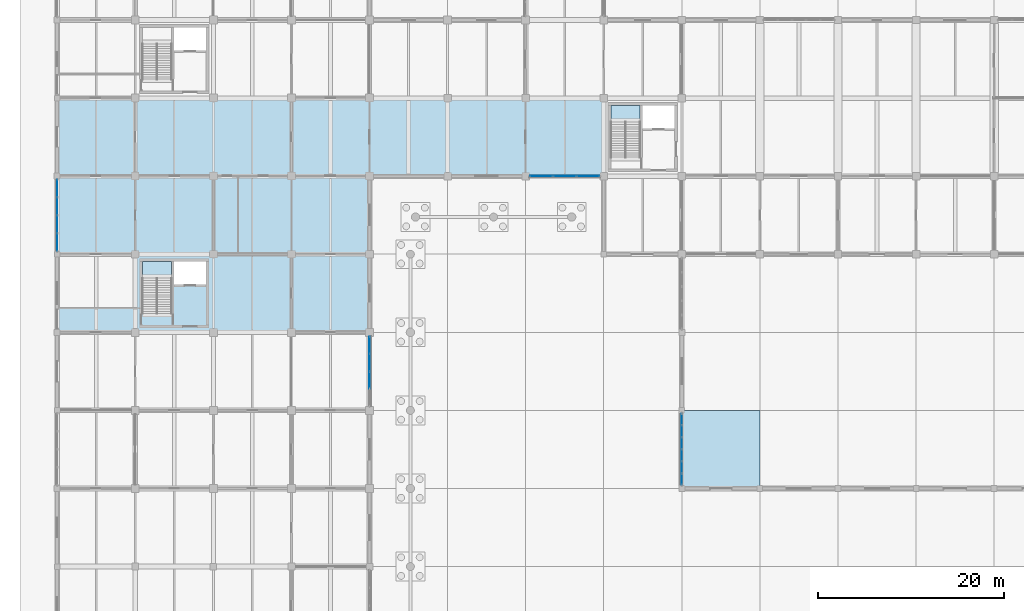
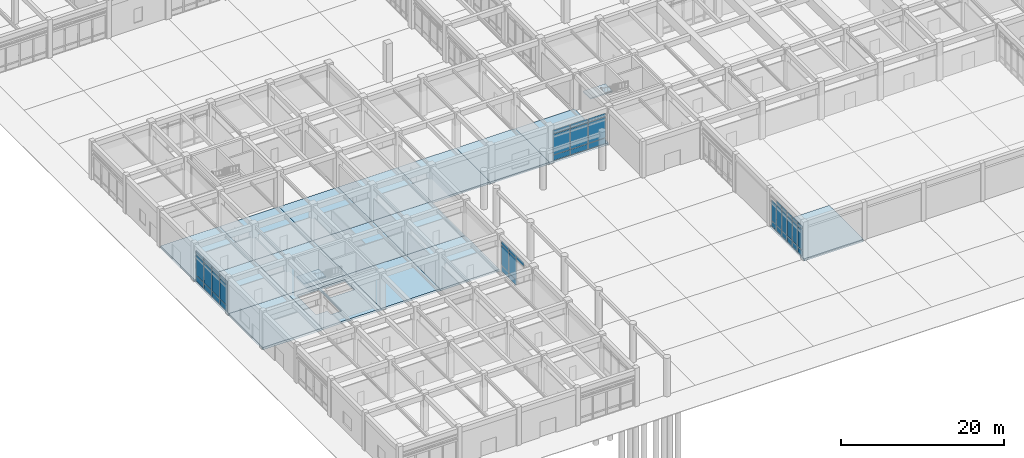
# One storey, part 49 of 91: 45 plates, 18 slabs, 6 elements without a shape of their own.
"""IFC4 building model written with IfcOpenShell, lengths in metres."""

from ifc_helpers import new_model, si_unit, direction, frame, origin, origin_2d, place, context, subcontext, project, spatial, polyline, rectangle, outline, extrude, material, layer, layer_set, type_object, element, aggregate, save


model = new_model("IFC4")

# Units and contexts
model_context = context("Model", 3, precision=1e-05, world=origin(), true_north=direction((0.0, 1.0)))
body_context = subcontext(model_context, "Body", "Model", "MODEL_VIEW")
ifc_project = project(units=[si_unit("LENGTHUNIT", "METRE"), si_unit("AREAUNIT", "SQUARE_METRE"), si_unit("VOLUMEUNIT", "CUBIC_METRE"), si_unit("PLANEANGLEUNIT", "RADIAN"), si_unit("MASSUNIT", "GRAM", prefix="KILO")], contexts=[model_context])

# Site, building, storey
site_placement = place(None, origin())
site = spatial("IfcSite", under=ifc_project, at=site_placement, CompositionType="ELEMENT")
building_placement = place(site_placement, origin())
building = spatial("IfcBuilding", under=site, at=building_placement, Name="Porcellanite Civic Hall", CompositionType="ELEMENT")
storey_placement = place(building_placement, origin())
storey = spatial("IfcBuildingStorey", under=building, at=storey_placement, Name="L00", CompositionType="ELEMENT", Elevation=0.0)

# Curtain wall, plates
ifc_material_1 = material(Name="Anodised aluminium and solar laminated glass", Category="aluminium")
ifc_layer_1 = layer(ifc_material_1, 0.179931640625)
ifc_layer_set_1 = layer_set([ifc_layer_1], Name="Anodised aluminium and solar laminated glass")
curtain_wall_type_1 = type_object("IfcCurtainWallType", Name="CW-SYS01", PredefinedType="NOTDEFINED", material=ifc_layer_set_1)
curtain_wall_1_placement = place(storey_placement, origin())
curtain_wall_1 = element("IfcCurtainWall", 1, at=curtain_wall_1_placement, inside=storey, type_object=curtain_wall_type_1, Name="Curtain wall CW-027", PredefinedType="NOTDEFINED")
ifc_material_2 = material(Name="Cyclone laminated solar-control low-E glass", Category="glass")
ifc_layer_2 = layer(ifc_material_2, 0.02392578125)
ifc_layer_set_2 = layer_set([ifc_layer_2], Name="Cyclone laminated solar-control low-E glass")
plate_type_1 = type_object("IfcPlateType", Name="CWP-01", PredefinedType="CURTAIN_PANEL", material=ifc_layer_set_2)
plate_1_placement = place(storey_placement, frame((67.199951171875, 17.793701171875, 0.070068359375), z_axis=(0.0, 0.0, 1.0), x_axis=(0.0, 1.0, 0.0)))
plate_1 = element("IfcPlate", 2, at=plate_1_placement, type_object=plate_type_1, Name="CW-027 panel 1.1", PredefinedType="CURTAIN_PANEL", context=body_context, shape_type="SweptSolid", body=[
    extrude(rectangle(XDim=1.175537109375, YDim=0.02392578125, at=origin_2d()), origin(), (0.0, 0.0, 1.0), 0.794921875),
])
plate_2_placement = place(storey_placement, frame((67.199951171875, 17.793701171875, 0.93505859375), z_axis=(0.0, 0.0, 1.0), x_axis=(0.0, 1.0, 0.0)))
plate_2 = element("IfcPlate", 3, at=plate_2_placement, type_object=plate_type_1, Name="CW-027 panel 1.2", PredefinedType="CURTAIN_PANEL", context=body_context, shape_type="SweptSolid", body=[
    extrude(rectangle(XDim=1.175537109375, YDim=0.02392578125, at=origin_2d()), origin(), (0.0, 0.0, 1.0), 3.080078125),
])
plate_3_placement = place(storey_placement, frame((67.199951171875, 17.793701171875, 4.0849609375), z_axis=(0.0, 0.0, 1.0), x_axis=(0.0, 1.0, 0.0)))
plate_3 = element("IfcPlate", 4, at=plate_3_placement, type_object=plate_type_1, Name="CW-027 panel 1.3", PredefinedType="CURTAIN_PANEL", context=body_context, shape_type="SweptSolid", body=[
    extrude(rectangle(XDim=1.175537109375, YDim=0.02392578125, at=origin_2d()), origin(), (0.0, 0.0, 1.0), 0.544921875),
])
plate_4_placement = place(storey_placement, frame((67.199951171875, 19.0693359375, 0.070068359375), z_axis=(0.0, 0.0, 1.0), x_axis=(0.0, 1.0, 0.0)))
plate_4 = element("IfcPlate", 5, at=plate_4_placement, type_object=plate_type_1, Name="CW-027 panel 2.1", PredefinedType="CURTAIN_PANEL", context=body_context, shape_type="SweptSolid", body=[
    extrude(rectangle(XDim=1.215576171875, YDim=0.02392578125, at=origin_2d()), origin(), (0.0, 0.0, 1.0), 0.794921875),
])
plate_5_placement = place(storey_placement, frame((67.199951171875, 19.0693359375, 0.93505859375), z_axis=(0.0, 0.0, 1.0), x_axis=(0.0, 1.0, 0.0)))
plate_5 = element("IfcPlate", 6, at=plate_5_placement, type_object=plate_type_1, Name="CW-027 panel 2.2", PredefinedType="CURTAIN_PANEL", context=body_context, shape_type="SweptSolid", body=[
    extrude(rectangle(XDim=1.215576171875, YDim=0.02392578125, at=origin_2d()), origin(), (0.0, 0.0, 1.0), 3.080078125),
])
plate_6_placement = place(storey_placement, frame((67.199951171875, 19.0693359375, 4.0849609375), z_axis=(0.0, 0.0, 1.0), x_axis=(0.0, 1.0, 0.0)))
plate_6 = element("IfcPlate", 7, at=plate_6_placement, type_object=plate_type_1, Name="CW-027 panel 2.3", PredefinedType="CURTAIN_PANEL", context=body_context, shape_type="SweptSolid", body=[
    extrude(rectangle(XDim=1.215576171875, YDim=0.02392578125, at=origin_2d()), origin(), (0.0, 0.0, 1.0), 0.544921875),
])
plate_7_placement = place(storey_placement, frame((67.199951171875, 20.36474609375, 0.070068359375), z_axis=(0.0, 0.0, 1.0), x_axis=(0.0, 1.0, 0.0)))
plate_7 = element("IfcPlate", 8, at=plate_7_placement, type_object=plate_type_1, Name="CW-027 panel 3.1", PredefinedType="CURTAIN_PANEL", context=body_context, shape_type="SweptSolid", body=[
    extrude(rectangle(XDim=1.215576171875, YDim=0.02392578125, at=origin_2d()), origin(), (0.0, 0.0, 1.0), 0.794921875),
])
plate_8_placement = place(storey_placement, frame((67.199951171875, 20.36474609375, 0.93505859375), z_axis=(0.0, 0.0, 1.0), x_axis=(0.0, 1.0, 0.0)))
plate_8 = element("IfcPlate", 9, at=plate_8_placement, type_object=plate_type_1, Name="CW-027 panel 3.2", PredefinedType="CURTAIN_PANEL", context=body_context, shape_type="SweptSolid", body=[
    extrude(rectangle(XDim=1.215576171875, YDim=0.02392578125, at=origin_2d()), origin(), (0.0, 0.0, 1.0), 3.080078125),
])
plate_9_placement = place(storey_placement, frame((67.199951171875, 20.36474609375, 4.0849609375), z_axis=(0.0, 0.0, 1.0), x_axis=(0.0, 1.0, 0.0)))
plate_9 = element("IfcPlate", 10, at=plate_9_placement, type_object=plate_type_1, Name="CW-027 panel 3.3", PredefinedType="CURTAIN_PANEL", context=body_context, shape_type="SweptSolid", body=[
    extrude(rectangle(XDim=1.215576171875, YDim=0.02392578125, at=origin_2d()), origin(), (0.0, 0.0, 1.0), 0.544921875),
])
plate_10_placement = place(storey_placement, frame((67.199951171875, 21.66015625, 0.070068359375), z_axis=(0.0, 0.0, 1.0), x_axis=(0.0, 1.0, 0.0)))
plate_10 = element("IfcPlate", 11, at=plate_10_placement, type_object=plate_type_1, Name="CW-027 panel 4.1", PredefinedType="CURTAIN_PANEL", context=body_context, shape_type="SweptSolid", body=[
    extrude(rectangle(XDim=1.215576171875, YDim=0.02392578125, at=origin_2d()), origin(), (0.0, 0.0, 1.0), 0.794921875),
])
plate_11_placement = place(storey_placement, frame((67.199951171875, 21.66015625, 0.93505859375), z_axis=(0.0, 0.0, 1.0), x_axis=(0.0, 1.0, 0.0)))
plate_11 = element("IfcPlate", 12, at=plate_11_placement, type_object=plate_type_1, Name="CW-027 panel 4.2", PredefinedType="CURTAIN_PANEL", context=body_context, shape_type="SweptSolid", body=[
    extrude(rectangle(XDim=1.215576171875, YDim=0.02392578125, at=origin_2d()), origin(), (0.0, 0.0, 1.0), 3.080078125),
])
plate_12_placement = place(storey_placement, frame((67.199951171875, 21.66015625, 4.0849609375), z_axis=(0.0, 0.0, 1.0), x_axis=(0.0, 1.0, 0.0)))
plate_12 = element("IfcPlate", 13, at=plate_12_placement, type_object=plate_type_1, Name="CW-027 panel 4.3", PredefinedType="CURTAIN_PANEL", context=body_context, shape_type="SweptSolid", body=[
    extrude(rectangle(XDim=1.215576171875, YDim=0.02392578125, at=origin_2d()), origin(), (0.0, 0.0, 1.0), 0.544921875),
])
plate_13_placement = place(storey_placement, frame((67.199951171875, 22.955810546875, 0.070068359375), z_axis=(0.0, 0.0, 1.0), x_axis=(0.0, 1.0, 0.0)))
plate_13 = element("IfcPlate", 14, at=plate_13_placement, type_object=plate_type_1, Name="CW-027 panel 5.1", PredefinedType="CURTAIN_PANEL", context=body_context, shape_type="SweptSolid", body=[
    extrude(rectangle(XDim=1.215576171875, YDim=0.02392578125, at=origin_2d()), origin(), (0.0, 0.0, 1.0), 0.794921875),
])
plate_14_placement = place(storey_placement, frame((67.199951171875, 22.955810546875, 0.93505859375), z_axis=(0.0, 0.0, 1.0), x_axis=(0.0, 1.0, 0.0)))
plate_14 = element("IfcPlate", 15, at=plate_14_placement, type_object=plate_type_1, Name="CW-027 panel 5.2", PredefinedType="CURTAIN_PANEL", context=body_context, shape_type="SweptSolid", body=[
    extrude(rectangle(XDim=1.215576171875, YDim=0.02392578125, at=origin_2d()), origin(), (0.0, 0.0, 1.0), 3.080078125),
])
plate_15_placement = place(storey_placement, frame((67.199951171875, 22.955810546875, 4.0849609375), z_axis=(0.0, 0.0, 1.0), x_axis=(0.0, 1.0, 0.0)))
plate_15 = element("IfcPlate", 16, at=plate_15_placement, type_object=plate_type_1, Name="CW-027 panel 5.3", PredefinedType="CURTAIN_PANEL", context=body_context, shape_type="SweptSolid", body=[
    extrude(rectangle(XDim=1.215576171875, YDim=0.02392578125, at=origin_2d()), origin(), (0.0, 0.0, 1.0), 0.544921875),
])
plate_16_placement = place(storey_placement, frame((67.199951171875, 24.231201171875, 0.070068359375), z_axis=(0.0, 0.0, 1.0), x_axis=(0.0, 1.0, 0.0)))
plate_16 = element("IfcPlate", 17, at=plate_16_placement, type_object=plate_type_1, Name="CW-027 panel 6.1", PredefinedType="CURTAIN_PANEL", context=body_context, shape_type="SweptSolid", body=[
    extrude(rectangle(XDim=1.175537109375, YDim=0.02392578125, at=origin_2d()), origin(), (0.0, 0.0, 1.0), 0.794921875),
])
plate_17_placement = place(storey_placement, frame((67.199951171875, 24.231201171875, 0.93505859375), z_axis=(0.0, 0.0, 1.0), x_axis=(0.0, 1.0, 0.0)))
plate_17 = element("IfcPlate", 18, at=plate_17_placement, type_object=plate_type_1, Name="CW-027 panel 6.2", PredefinedType="CURTAIN_PANEL", context=body_context, shape_type="SweptSolid", body=[
    extrude(rectangle(XDim=1.175537109375, YDim=0.02392578125, at=origin_2d()), origin(), (0.0, 0.0, 1.0), 3.080078125),
])
aggregate(curtain_wall_1, [plate_1, plate_2, plate_3, plate_4, plate_5, plate_6, plate_7, plate_8, plate_9, plate_10, plate_11, plate_12, plate_13, plate_14, plate_15, plate_16, plate_17])

ifc_material_3 = material(Name="Anodised aluminium and solar laminated glass", Category="aluminium")
ifc_layer_3 = layer(ifc_material_3, 0.179931640625)
ifc_layer_set_3 = layer_set([ifc_layer_3], Name="Anodised aluminium and solar laminated glass")
curtain_wall_type_2 = type_object("IfcCurtainWallType", Name="CW-SYS05", PredefinedType="NOTDEFINED", material=ifc_layer_set_3)
curtain_wall_2_placement = place(storey_placement, origin())
curtain_wall_2 = element("IfcCurtainWall", 19, at=curtain_wall_2_placement, inside=storey, type_object=curtain_wall_type_2, Name="Curtain wall CW-003", PredefinedType="NOTDEFINED")
ifc_material_4 = material(Name="Cyclone laminated solar-control low-E glass", Category="glass")
ifc_layer_4 = layer(ifc_material_4, 0.028076171875)
ifc_layer_set_4 = layer_set([ifc_layer_4], Name="Cyclone laminated solar-control low-E glass")
plate_type_2 = type_object("IfcPlateType", Name="CWP-03", PredefinedType="CURTAIN_PANEL", material=ifc_layer_set_4)
plate_18_placement = place(storey_placement, frame((0.0, 43.2900390625, 0.06005859375), z_axis=(0.0, 0.0, 1.0), x_axis=(0.0, 1.0, 0.0)))
plate_18 = element("IfcPlate", 20, at=plate_18_placement, type_object=plate_type_2, Name="CW-003 panel 1.1", PredefinedType="CURTAIN_PANEL", context=body_context, shape_type="SweptSolid", body=[
    extrude(rectangle(XDim=1.838134765625, YDim=0.028076171875, at=origin_2d()), origin(), (0.0, 0.0, 1.0), 0.81005859375),
])
plate_19_placement = place(storey_placement, frame((0.0, 43.2900390625, 0.93017578125), z_axis=(0.0, 0.0, 1.0), x_axis=(0.0, 1.0, 0.0)))
plate_19 = element("IfcPlate", 21, at=plate_19_placement, type_object=plate_type_2, Name="CW-003 panel 1.2", PredefinedType="CURTAIN_PANEL", context=body_context, shape_type="SweptSolid", body=[
    extrude(rectangle(XDim=1.838134765625, YDim=0.028076171875, at=origin_2d()), origin(), (0.0, 0.0, 1.0), 3.090087890625),
])
plate_20_placement = place(storey_placement, frame((0.0, 43.2900390625, 4.080078125), z_axis=(0.0, 0.0, 1.0), x_axis=(0.0, 1.0, 0.0)))
plate_20 = element("IfcPlate", 22, at=plate_20_placement, type_object=plate_type_2, Name="CW-003 panel 1.3", PredefinedType="CURTAIN_PANEL", context=body_context, shape_type="SweptSolid", body=[
    extrude(rectangle(XDim=1.838134765625, YDim=0.028076171875, at=origin_2d()), origin(), (0.0, 0.0, 1.0), 0.56005859375),
])
plate_21_placement = place(storey_placement, frame((0.0, 45.2158203125, 0.06005859375), z_axis=(0.0, 0.0, 1.0), x_axis=(0.0, 1.0, 0.0)))
plate_21 = element("IfcPlate", 23, at=plate_21_placement, type_object=plate_type_2, Name="CW-003 panel 2.1", PredefinedType="CURTAIN_PANEL", context=body_context, shape_type="SweptSolid", body=[
    extrude(rectangle(XDim=1.873291015625, YDim=0.028076171875, at=origin_2d()), origin(), (0.0, 0.0, 1.0), 0.81005859375),
])
plate_22_placement = place(storey_placement, frame((0.0, 45.2158203125, 0.93017578125), z_axis=(0.0, 0.0, 1.0), x_axis=(0.0, 1.0, 0.0)))
plate_22 = element("IfcPlate", 24, at=plate_22_placement, type_object=plate_type_2, Name="CW-003 panel 2.2", PredefinedType="CURTAIN_PANEL", context=body_context, shape_type="SweptSolid", body=[
    extrude(rectangle(XDim=1.873291015625, YDim=0.028076171875, at=origin_2d()), origin(), (0.0, 0.0, 1.0), 3.090087890625),
])
plate_23_placement = place(storey_placement, frame((0.0, 45.2158203125, 4.080078125), z_axis=(0.0, 0.0, 1.0), x_axis=(0.0, 1.0, 0.0)))
plate_23 = element("IfcPlate", 25, at=plate_23_placement, type_object=plate_type_2, Name="CW-003 panel 2.3", PredefinedType="CURTAIN_PANEL", context=body_context, shape_type="SweptSolid", body=[
    extrude(rectangle(XDim=1.873291015625, YDim=0.028076171875, at=origin_2d()), origin(), (0.0, 0.0, 1.0), 0.56005859375),
])
plate_24_placement = place(storey_placement, frame((0.0, 47.1591796875, 0.06005859375), z_axis=(0.0, 0.0, 1.0), x_axis=(0.0, 1.0, 0.0)))
plate_24 = element("IfcPlate", 26, at=plate_24_placement, type_object=plate_type_2, Name="CW-003 panel 3.1", PredefinedType="CURTAIN_PANEL", context=body_context, shape_type="SweptSolid", body=[
    extrude(rectangle(XDim=1.873291015625, YDim=0.028076171875, at=origin_2d()), origin(), (0.0, 0.0, 1.0), 0.81005859375),
])
plate_25_placement = place(storey_placement, frame((0.0, 47.1591796875, 0.93017578125), z_axis=(0.0, 0.0, 1.0), x_axis=(0.0, 1.0, 0.0)))
plate_25 = element("IfcPlate", 27, at=plate_25_placement, type_object=plate_type_2, Name="CW-003 panel 3.2", PredefinedType="CURTAIN_PANEL", context=body_context, shape_type="SweptSolid", body=[
    extrude(rectangle(XDim=1.873291015625, YDim=0.028076171875, at=origin_2d()), origin(), (0.0, 0.0, 1.0), 3.090087890625),
])
plate_26_placement = place(storey_placement, frame((0.0, 47.1591796875, 4.080078125), z_axis=(0.0, 0.0, 1.0), x_axis=(0.0, 1.0, 0.0)))
plate_26 = element("IfcPlate", 28, at=plate_26_placement, type_object=plate_type_2, Name="CW-003 panel 3.3", PredefinedType="CURTAIN_PANEL", context=body_context, shape_type="SweptSolid", body=[
    extrude(rectangle(XDim=1.873291015625, YDim=0.028076171875, at=origin_2d()), origin(), (0.0, 0.0, 1.0), 0.56005859375),
])
plate_27_placement = place(storey_placement, frame((0.0, 49.0849609375, 0.06005859375), z_axis=(0.0, 0.0, 1.0), x_axis=(0.0, 1.0, 0.0)))
plate_27 = element("IfcPlate", 29, at=plate_27_placement, type_object=plate_type_2, Name="CW-003 panel 4.1", PredefinedType="CURTAIN_PANEL", context=body_context, shape_type="SweptSolid", body=[
    extrude(rectangle(XDim=1.838134765625, YDim=0.028076171875, at=origin_2d()), origin(), (0.0, 0.0, 1.0), 0.81005859375),
])
plate_28_placement = place(storey_placement, frame((0.0, 49.0849609375, 0.93017578125), z_axis=(0.0, 0.0, 1.0), x_axis=(0.0, 1.0, 0.0)))
plate_28 = element("IfcPlate", 30, at=plate_28_placement, type_object=plate_type_2, Name="CW-003 panel 4.2", PredefinedType="CURTAIN_PANEL", context=body_context, shape_type="SweptSolid", body=[
    extrude(rectangle(XDim=1.838134765625, YDim=0.028076171875, at=origin_2d()), origin(), (0.0, 0.0, 1.0), 3.090087890625),
])
plate_29_placement = place(storey_placement, frame((0.0, 49.0849609375, 4.080078125), z_axis=(0.0, 0.0, 1.0), x_axis=(0.0, 1.0, 0.0)))
plate_29 = element("IfcPlate", 31, at=plate_29_placement, type_object=plate_type_2, Name="CW-003 panel 4.3", PredefinedType="CURTAIN_PANEL", context=body_context, shape_type="SweptSolid", body=[
    extrude(rectangle(XDim=1.838134765625, YDim=0.028076171875, at=origin_2d()), origin(), (0.0, 0.0, 1.0), 0.56005859375),
])
aggregate(curtain_wall_2, [plate_18, plate_19, plate_20, plate_21, plate_22, plate_23, plate_24, plate_25, plate_26, plate_27, plate_28, plate_29])

curtain_wall_3_placement = place(storey_placement, origin())
curtain_wall_3 = element("IfcCurtainWall", 32, at=curtain_wall_3_placement, inside=storey, type_object=curtain_wall_type_2, Name="Curtain wall CW-012", PredefinedType="NOTDEFINED")
plate_30_placement = place(storey_placement, frame((33.60009765625, 32.212890625, 0.06005859375), z_axis=(0.0, 0.0, 1.0), x_axis=(0.0, -1.0, 0.0)))
plate_30 = element("IfcPlate", 33, at=plate_30_placement, type_object=plate_type_2, Name="CW-012 panel 1.1", PredefinedType="CURTAIN_PANEL", context=body_context, shape_type="SweptSolid", body=[
    extrude(rectangle(XDim=1.781982421875, YDim=0.028076171875, at=origin_2d()), origin(), (0.0, 0.0, 1.0), 0.81005859375),
])
plate_31_placement = place(storey_placement, frame((33.60009765625, 32.212890625, 0.93017578125), z_axis=(0.0, 0.0, 1.0), x_axis=(0.0, -1.0, 0.0)))
plate_31 = element("IfcPlate", 34, at=plate_31_placement, type_object=plate_type_2, Name="CW-012 panel 1.2", PredefinedType="CURTAIN_PANEL", context=body_context, shape_type="SweptSolid", body=[
    extrude(rectangle(XDim=1.781982421875, YDim=0.028076171875, at=origin_2d()), origin(), (0.0, 0.0, 1.0), 3.090087890625),
])
plate_32_placement = place(storey_placement, frame((33.60009765625, 32.212890625, 4.080078125), z_axis=(0.0, 0.0, 1.0), x_axis=(0.0, -1.0, 0.0)))
plate_32 = element("IfcPlate", 35, at=plate_32_placement, type_object=plate_type_2, Name="CW-012 panel 1.3", PredefinedType="CURTAIN_PANEL", context=body_context, shape_type="SweptSolid", body=[
    extrude(rectangle(XDim=1.781982421875, YDim=0.028076171875, at=origin_2d()), origin(), (0.0, 0.0, 1.0), 0.56005859375),
])
plate_33_placement = place(storey_placement, frame((33.60009765625, 30.343505859375, 0.06005859375), z_axis=(0.0, 0.0, 1.0), x_axis=(0.0, -1.0, 0.0)))
plate_33 = element("IfcPlate", 36, at=plate_33_placement, type_object=plate_type_2, Name="CW-012 panel 2.1", PredefinedType="CURTAIN_PANEL", context=body_context, shape_type="SweptSolid", body=[
    extrude(rectangle(XDim=1.81689453125, YDim=0.028076171875, at=origin_2d()), origin(), (0.0, 0.0, 1.0), 0.81005859375),
])
plate_34_placement = place(storey_placement, frame((33.60009765625, 30.343505859375, 0.93017578125), z_axis=(0.0, 0.0, 1.0), x_axis=(0.0, -1.0, 0.0)))
plate_34 = element("IfcPlate", 37, at=plate_34_placement, type_object=plate_type_2, Name="CW-012 panel 2.2", PredefinedType="CURTAIN_PANEL", context=body_context, shape_type="SweptSolid", body=[
    extrude(rectangle(XDim=1.81689453125, YDim=0.028076171875, at=origin_2d()), origin(), (0.0, 0.0, 1.0), 3.090087890625),
])
plate_35_placement = place(storey_placement, frame((33.60009765625, 30.343505859375, 4.080078125), z_axis=(0.0, 0.0, 1.0), x_axis=(0.0, -1.0, 0.0)))
plate_35 = element("IfcPlate", 38, at=plate_35_placement, type_object=plate_type_2, Name="CW-012 panel 2.3", PredefinedType="CURTAIN_PANEL", context=body_context, shape_type="SweptSolid", body=[
    extrude(rectangle(XDim=1.81689453125, YDim=0.028076171875, at=origin_2d()), origin(), (0.0, 0.0, 1.0), 0.56005859375),
])
plate_36_placement = place(storey_placement, frame((33.60009765625, 28.45654296875, 4.080078125), z_axis=(0.0, 0.0, 1.0), x_axis=(0.0, -1.0, 0.0)))
plate_36 = element("IfcPlate", 39, at=plate_36_placement, type_object=plate_type_2, Name="CW-012 panel 3.3", PredefinedType="CURTAIN_PANEL", context=body_context, shape_type="SweptSolid", body=[
    extrude(rectangle(XDim=1.81689453125, YDim=0.028076171875, at=origin_2d()), origin(), (0.0, 0.0, 1.0), 0.56005859375),
])
aggregate(curtain_wall_3, [plate_30, plate_31, plate_32, plate_33, plate_34, plate_35, plate_36])

ifc_material_5 = material(Name="Anodised aluminium and solar laminated glass", Category="aluminium")
ifc_layer_5 = layer(ifc_material_5, 0.179931640625)
ifc_layer_set_5 = layer_set([ifc_layer_5], Name="Anodised aluminium and solar laminated glass")
curtain_wall_type_3 = type_object("IfcCurtainWallType", Name="CW-SYS08", PredefinedType="NOTDEFINED", material=ifc_layer_set_5)
curtain_wall_4_placement = place(storey_placement, origin())
curtain_wall_4 = element("IfcCurtainWall", 40, at=curtain_wall_4_placement, inside=storey, type_object=curtain_wall_type_3, Name="Curtain wall CW-016", PredefinedType="NOTDEFINED")
ifc_material_6 = material(Name="Cyclone laminated solar-control low-E glass", Category="glass")
ifc_layer_6 = layer(ifc_material_6, 0.035888671875)
ifc_layer_set_6 = layer_set([ifc_layer_6], Name="Cyclone laminated solar-control low-E glass")
plate_type_3 = type_object("IfcPlateType", Name="CWP-07", PredefinedType="CURTAIN_PANEL", material=ifc_layer_set_6)
plate_37_placement = place(storey_placement, frame((57.112548828125, 50.39990234375, 0.070068359375), z_axis=(0.0, 0.0, 1.0), x_axis=(-1.0, 0.0, 0.0)))
plate_37 = element("IfcPlate", 41, at=plate_37_placement, type_object=plate_type_3, Name="CW-016 panel 1.1", PredefinedType="CURTAIN_PANEL", context=body_context, shape_type="SweptSolid", body=[
    extrude(rectangle(XDim=2.41259765625, YDim=0.035888671875, at=origin_2d()), origin(), (0.0, 0.0, 1.0), 0.794921875),
])
plate_38_placement = place(storey_placement, frame((57.112548828125, 50.39990234375, 0.93505859375), z_axis=(0.0, 0.0, 1.0), x_axis=(-1.0, 0.0, 0.0)))
plate_38 = element("IfcPlate", 42, at=plate_38_placement, type_object=plate_type_3, Name="CW-016 panel 1.2", PredefinedType="CURTAIN_PANEL", context=body_context, shape_type="SweptSolid", body=[
    extrude(rectangle(XDim=2.41259765625, YDim=0.035888671875, at=origin_2d()), origin(), (0.0, 0.0, 1.0), 3.080078125),
])
plate_39_placement = place(storey_placement, frame((57.112548828125, 50.39990234375, 4.0849609375), z_axis=(0.0, 0.0, 1.0), x_axis=(-1.0, 0.0, 0.0)))
plate_39 = element("IfcPlate", 43, at=plate_39_placement, type_object=plate_type_3, Name="CW-016 panel 1.3", PredefinedType="CURTAIN_PANEL", context=body_context, shape_type="SweptSolid", body=[
    extrude(rectangle(XDim=2.41259765625, YDim=0.035888671875, at=origin_2d()), origin(), (0.0, 0.0, 1.0), 0.544921875),
])
plate_40_placement = place(storey_placement, frame((54.60009765625, 50.39990234375, 0.070068359375), z_axis=(0.0, 0.0, 1.0), x_axis=(-1.0, 0.0, 0.0)))
plate_40 = element("IfcPlate", 44, at=plate_40_placement, type_object=plate_type_3, Name="CW-016 panel 2.1", PredefinedType="CURTAIN_PANEL", context=body_context, shape_type="SweptSolid", body=[
    extrude(rectangle(XDim=2.45263671875, YDim=0.035888671875, at=origin_2d()), origin(), (0.0, 0.0, 1.0), 0.794921875),
])
plate_41_placement = place(storey_placement, frame((54.60009765625, 50.39990234375, 0.93505859375), z_axis=(0.0, 0.0, 1.0), x_axis=(-1.0, 0.0, 0.0)))
plate_41 = element("IfcPlate", 45, at=plate_41_placement, type_object=plate_type_3, Name="CW-016 panel 2.2", PredefinedType="CURTAIN_PANEL", context=body_context, shape_type="SweptSolid", body=[
    extrude(rectangle(XDim=2.45263671875, YDim=0.035888671875, at=origin_2d()), origin(), (0.0, 0.0, 1.0), 3.080078125),
])
plate_42_placement = place(storey_placement, frame((54.60009765625, 50.39990234375, 4.0849609375), z_axis=(0.0, 0.0, 1.0), x_axis=(-1.0, 0.0, 0.0)))
plate_42 = element("IfcPlate", 46, at=plate_42_placement, type_object=plate_type_3, Name="CW-016 panel 2.3", PredefinedType="CURTAIN_PANEL", context=body_context, shape_type="SweptSolid", body=[
    extrude(rectangle(XDim=2.45263671875, YDim=0.035888671875, at=origin_2d()), origin(), (0.0, 0.0, 1.0), 0.544921875),
])
plate_43_placement = place(storey_placement, frame((52.08740234375, 50.39990234375, 0.070068359375), z_axis=(0.0, 0.0, 1.0), x_axis=(-1.0, 0.0, 0.0)))
plate_43 = element("IfcPlate", 47, at=plate_43_placement, type_object=plate_type_3, Name="CW-016 panel 3.1", PredefinedType="CURTAIN_PANEL", context=body_context, shape_type="SweptSolid", body=[
    extrude(rectangle(XDim=2.41259765625, YDim=0.035888671875, at=origin_2d()), origin(), (0.0, 0.0, 1.0), 0.794921875),
])
plate_44_placement = place(storey_placement, frame((52.08740234375, 50.39990234375, 0.93505859375), z_axis=(0.0, 0.0, 1.0), x_axis=(-1.0, 0.0, 0.0)))
plate_44 = element("IfcPlate", 48, at=plate_44_placement, type_object=plate_type_3, Name="CW-016 panel 3.2", PredefinedType="CURTAIN_PANEL", context=body_context, shape_type="SweptSolid", body=[
    extrude(rectangle(XDim=2.41259765625, YDim=0.035888671875, at=origin_2d()), origin(), (0.0, 0.0, 1.0), 3.080078125),
])
plate_45_placement = place(storey_placement, frame((52.08740234375, 50.39990234375, 4.0849609375), z_axis=(0.0, 0.0, 1.0), x_axis=(-1.0, 0.0, 0.0)))
plate_45 = element("IfcPlate", 49, at=plate_45_placement, type_object=plate_type_3, Name="CW-016 panel 3.3", PredefinedType="CURTAIN_PANEL", context=body_context, shape_type="SweptSolid", body=[
    extrude(rectangle(XDim=2.41259765625, YDim=0.035888671875, at=origin_2d()), origin(), (0.0, 0.0, 1.0), 0.544921875),
])
aggregate(curtain_wall_4, [plate_37, plate_38, plate_39, plate_40, plate_41, plate_42, plate_43, plate_44, plate_45])

# Stair, slab
ifc_material_7 = material(Name="Concrete N40 (40 MPa)", Category="concrete")
stair_type = type_object("IfcStairType", Name="STR-HT32", PredefinedType="HALF_TURN_STAIR", material=ifc_material_7)
stair_1_placement = place(storey_placement, origin())
stair_1 = element("IfcStair", 50, at=stair_1_placement, inside=storey, type_object=stair_type, Name="Fire stair ST-01 L00", PredefinedType="HALF_TURN_STAIR")
ifc_material_8 = material(Name="Concrete N40 (40 MPa)", Category="concrete")
ifc_layer_7 = layer(ifc_material_8, 0.179931640625)
ifc_layer_set_7 = layer_set([ifc_layer_7], Name="Concrete N40 (40 MPa)")
slab_type_1 = type_object("IfcSlabType", Name="LND-18", PredefinedType="LANDING", material=ifc_layer_set_7)
slab_1_placement = place(storey_placement, frame((0.0, 0.0, 2.699951171875)))
slab_1 = element("IfcSlab", 51, at=slab_1_placement, type_object=slab_type_1, Name="ST-01 landing 1", PredefinedType="LANDING", context=body_context, shape_type="SweptSolid", body=[
    extrude(outline(polyline([(9.180419921875, 39.425048828125), (12.319580078125, 39.425048828125), (12.319580078125, 41.219482421875), (9.180419921875, 41.219482421875), (9.180419921875, 39.425048828125)])), origin(), (0.0, 0.0, 1.0), 0.179931640625),
])
aggregate(stair_1, [slab_1])

stair_2_placement = place(storey_placement, origin())
stair_2 = element("IfcStair", 52, at=stair_2_placement, inside=storey, type_object=stair_type, Name="Fire stair ST-05 L00", PredefinedType="HALF_TURN_STAIR")
slab_2_placement = place(storey_placement, frame((0.0, 0.0, 2.699951171875)))
slab_2 = element("IfcSlab", 53, at=slab_2_placement, type_object=slab_type_1, Name="ST-05 landing 1", PredefinedType="LANDING", context=body_context, shape_type="SweptSolid", body=[
    extrude(outline(polyline([(59.58056640625, 56.22509765625), (62.719482421875, 56.22509765625), (62.719482421875, 58.01953125), (59.58056640625, 58.01953125), (59.58056640625, 56.22509765625)])), origin(), (0.0, 0.0, 1.0), 0.179931640625),
])
aggregate(stair_2, [slab_2])

# Slabs
ifc_material_9 = material(Name="Concrete N40 (40 MPa)", Category="concrete")
ifc_layer_8 = layer(ifc_material_9, 0.35009765625)
ifc_layer_set_8 = layer_set([ifc_layer_8], Name="Concrete N40 (40 MPa)")
slab_type_2 = type_object("IfcSlabType", Name="SL-BASE350", PredefinedType="BASESLAB", material=ifc_layer_set_8)
slab_3_placement = place(storey_placement, frame((0.0, 0.0, -0.35009765625)))
element("IfcSlab", 54, at=slab_3_placement, inside=storey, type_object=slab_type_2, Name="Slab L00 bay 1-5", PredefinedType="BASESLAB", context=body_context, shape_type="SweptSolid", body=[
    extrude(outline(polyline([(0.0, 33.60009765625), (8.39990234375, 33.60009765625), (8.39990234375, 42.0), (0.0, 42.0), (0.0, 33.60009765625)])), origin(), (0.0, 0.0, 1.0), 0.35009765625),
])
slab_4_placement = place(storey_placement, frame((0.0, 0.0, -0.35009765625)))
element("IfcSlab", 55, at=slab_4_placement, inside=storey, type_object=slab_type_2, Name="Slab L00 bay 1-6", PredefinedType="BASESLAB", context=body_context, shape_type="SweptSolid", body=[
    extrude(outline(polyline([(0.0, 42.0), (8.39990234375, 42.0), (8.39990234375, 50.39990234375), (0.0, 50.39990234375), (0.0, 42.0)])), origin(), (0.0, 0.0, 1.0), 0.35009765625),
])
slab_5_placement = place(storey_placement, frame((0.0, 0.0, -0.35009765625)))
element("IfcSlab", 56, at=slab_5_placement, inside=storey, type_object=slab_type_2, Name="Slab L00 bay 1-7", PredefinedType="BASESLAB", context=body_context, shape_type="SweptSolid", body=[
    extrude(outline(polyline([(0.0, 50.39990234375), (8.39990234375, 50.39990234375), (8.39990234375, 58.800048828125), (0.0, 58.800048828125), (0.0, 50.39990234375)])), origin(), (0.0, 0.0, 1.0), 0.35009765625),
])
slab_6_placement = place(storey_placement, frame((0.0, 0.0, -0.35009765625)))
element("IfcSlab", 57, at=slab_6_placement, inside=storey, type_object=slab_type_2, Name="Slab L00 bay 9-3", PredefinedType="BASESLAB", context=body_context, shape_type="SweptSolid", body=[
    extrude(outline(polyline([(67.199951171875, 16.800048828125), (75.60009765625, 16.800048828125), (75.60009765625, 25.199951171875), (67.199951171875, 25.199951171875), (67.199951171875, 16.800048828125)])), origin(), (0.0, 0.0, 1.0), 0.35009765625),
])
ifc_material_10 = material(Name="Concrete N40 (40 MPa)", Category="concrete")
ifc_layer_9 = layer(ifc_material_10, 0.300048828125)
ifc_layer_set_9 = layer_set([ifc_layer_9], Name="Concrete N40 (40 MPa)")
slab_type_3 = type_object("IfcSlabType", Name="SL-TR300", PredefinedType="FLOOR", material=ifc_layer_set_9)
slab_7_placement = place(storey_placement, frame((0.0, 0.0, -0.300048828125)))
element("IfcSlab", 58, at=slab_7_placement, inside=storey, type_object=slab_type_3, Name="Slab L00 bay 2-5", PredefinedType="FLOOR", context=body_context, shape_type="SweptSolid", body=[
    extrude(outline(polyline([(8.39990234375, 33.60009765625), (16.800048828125, 33.60009765625), (16.800048828125, 42.0), (8.39990234375, 42.0), (8.39990234375, 33.60009765625)]), holes=[polyline([(9.179931640625, 36.449951171875), (10.760009765625, 36.449951171875), (10.760009765625, 35.60009765625), (12.320068359375, 35.60009765625), (12.320068359375, 41.219970703125), (9.179931640625, 41.219970703125), (9.179931640625, 36.449951171875)]), polyline([(12.56005859375, 38.739990234375), (16.02001953125, 38.739990234375), (16.02001953125, 41.219970703125), (12.56005859375, 41.219970703125), (12.56005859375, 38.739990234375)])]), origin(), (0.0, 0.0, 1.0), 0.300048828125),
])
slab_8_placement = place(storey_placement, frame((0.0, 0.0, -0.300048828125)))
element("IfcSlab", 59, at=slab_8_placement, inside=storey, type_object=slab_type_3, Name="Slab L00 bay 2-6", PredefinedType="FLOOR", context=body_context, shape_type="SweptSolid", body=[
    extrude(outline(polyline([(8.39990234375, 42.0), (16.800048828125, 42.0), (16.800048828125, 50.39990234375), (8.39990234375, 50.39990234375), (8.39990234375, 42.0)])), origin(), (0.0, 0.0, 1.0), 0.300048828125),
])
slab_9_placement = place(storey_placement, frame((0.0, 0.0, -0.300048828125)))
element("IfcSlab", 60, at=slab_9_placement, inside=storey, type_object=slab_type_3, Name="Slab L00 bay 2-7", PredefinedType="FLOOR", context=body_context, shape_type="SweptSolid", body=[
    extrude(outline(polyline([(8.39990234375, 50.39990234375), (16.800048828125, 50.39990234375), (16.800048828125, 58.800048828125), (8.39990234375, 58.800048828125), (8.39990234375, 50.39990234375)])), origin(), (0.0, 0.0, 1.0), 0.300048828125),
])
slab_10_placement = place(storey_placement, frame((0.0, 0.0, -0.300048828125)))
element("IfcSlab", 61, at=slab_10_placement, inside=storey, type_object=slab_type_3, Name="Slab L00 bay 3-5", PredefinedType="FLOOR", context=body_context, shape_type="SweptSolid", body=[
    extrude(outline(polyline([(16.800048828125, 33.60009765625), (25.199951171875, 33.60009765625), (25.199951171875, 42.0), (16.800048828125, 42.0), (16.800048828125, 33.60009765625)])), origin(), (0.0, 0.0, 1.0), 0.300048828125),
])
slab_11_placement = place(storey_placement, frame((0.0, 0.0, -0.300048828125)))
element("IfcSlab", 62, at=slab_11_placement, inside=storey, type_object=slab_type_3, Name="Slab L00 bay 3-6", PredefinedType="FLOOR", context=body_context, shape_type="SweptSolid", body=[
    extrude(outline(polyline([(16.800048828125, 42.0), (25.199951171875, 42.0), (25.199951171875, 50.39990234375), (16.800048828125, 50.39990234375), (16.800048828125, 42.0)])), origin(), (0.0, 0.0, 1.0), 0.300048828125),
])
slab_12_placement = place(storey_placement, frame((0.0, 0.0, -0.300048828125)))
element("IfcSlab", 63, at=slab_12_placement, inside=storey, type_object=slab_type_3, Name="Slab L00 bay 3-7", PredefinedType="FLOOR", context=body_context, shape_type="SweptSolid", body=[
    extrude(outline(polyline([(16.800048828125, 50.39990234375), (25.199951171875, 50.39990234375), (25.199951171875, 58.800048828125), (16.800048828125, 58.800048828125), (16.800048828125, 50.39990234375)])), origin(), (0.0, 0.0, 1.0), 0.300048828125),
])
slab_13_placement = place(storey_placement, frame((0.0, 0.0, -0.300048828125)))
element("IfcSlab", 64, at=slab_13_placement, inside=storey, type_object=slab_type_3, Name="Slab L00 bay 4-5", PredefinedType="FLOOR", context=body_context, shape_type="SweptSolid", body=[
    extrude(outline(polyline([(25.199951171875, 33.60009765625), (33.60009765625, 33.60009765625), (33.60009765625, 42.0), (25.199951171875, 42.0), (25.199951171875, 33.60009765625)])), origin(), (0.0, 0.0, 1.0), 0.300048828125),
])
slab_14_placement = place(storey_placement, frame((0.0, 0.0, -0.300048828125)))
element("IfcSlab", 65, at=slab_14_placement, inside=storey, type_object=slab_type_3, Name="Slab L00 bay 4-6", PredefinedType="FLOOR", context=body_context, shape_type="SweptSolid", body=[
    extrude(outline(polyline([(25.199951171875, 42.0), (33.60009765625, 42.0), (33.60009765625, 50.39990234375), (25.199951171875, 50.39990234375), (25.199951171875, 42.0)])), origin(), (0.0, 0.0, 1.0), 0.300048828125),
])
slab_15_placement = place(storey_placement, frame((0.0, 0.0, -0.300048828125)))
element("IfcSlab", 66, at=slab_15_placement, inside=storey, type_object=slab_type_3, Name="Slab L00 bay 4-7", PredefinedType="FLOOR", context=body_context, shape_type="SweptSolid", body=[
    extrude(outline(polyline([(25.199951171875, 50.39990234375), (33.60009765625, 50.39990234375), (33.60009765625, 58.800048828125), (25.199951171875, 58.800048828125), (25.199951171875, 50.39990234375)])), origin(), (0.0, 0.0, 1.0), 0.300048828125),
])
slab_16_placement = place(storey_placement, frame((0.0, 0.0, -0.300048828125)))
element("IfcSlab", 67, at=slab_16_placement, inside=storey, type_object=slab_type_3, Name="Slab L00 bay 5-7", PredefinedType="FLOOR", context=body_context, shape_type="SweptSolid", body=[
    extrude(outline(polyline([(33.60009765625, 50.39990234375), (42.0, 50.39990234375), (42.0, 58.800048828125), (33.60009765625, 58.800048828125), (33.60009765625, 50.39990234375)])), origin(), (0.0, 0.0, 1.0), 0.300048828125),
])
slab_17_placement = place(storey_placement, frame((0.0, 0.0, -0.300048828125)))
element("IfcSlab", 68, at=slab_17_placement, inside=storey, type_object=slab_type_3, Name="Slab L00 bay 6-7", PredefinedType="FLOOR", context=body_context, shape_type="SweptSolid", body=[
    extrude(outline(polyline([(42.0, 50.39990234375), (50.39990234375, 50.39990234375), (50.39990234375, 58.800048828125), (42.0, 58.800048828125), (42.0, 50.39990234375)])), origin(), (0.0, 0.0, 1.0), 0.300048828125),
])
slab_18_placement = place(storey_placement, frame((0.0, 0.0, -0.300048828125)))
element("IfcSlab", 69, at=slab_18_placement, inside=storey, type_object=slab_type_3, Name="Slab L00 bay 7-7", PredefinedType="FLOOR", context=body_context, shape_type="SweptSolid", body=[
    extrude(outline(polyline([(50.39990234375, 50.39990234375), (58.800048828125, 50.39990234375), (58.800048828125, 58.800048828125), (50.39990234375, 58.800048828125), (50.39990234375, 50.39990234375)])), origin(), (0.0, 0.0, 1.0), 0.300048828125),
])

save(model, "model.ifc")
